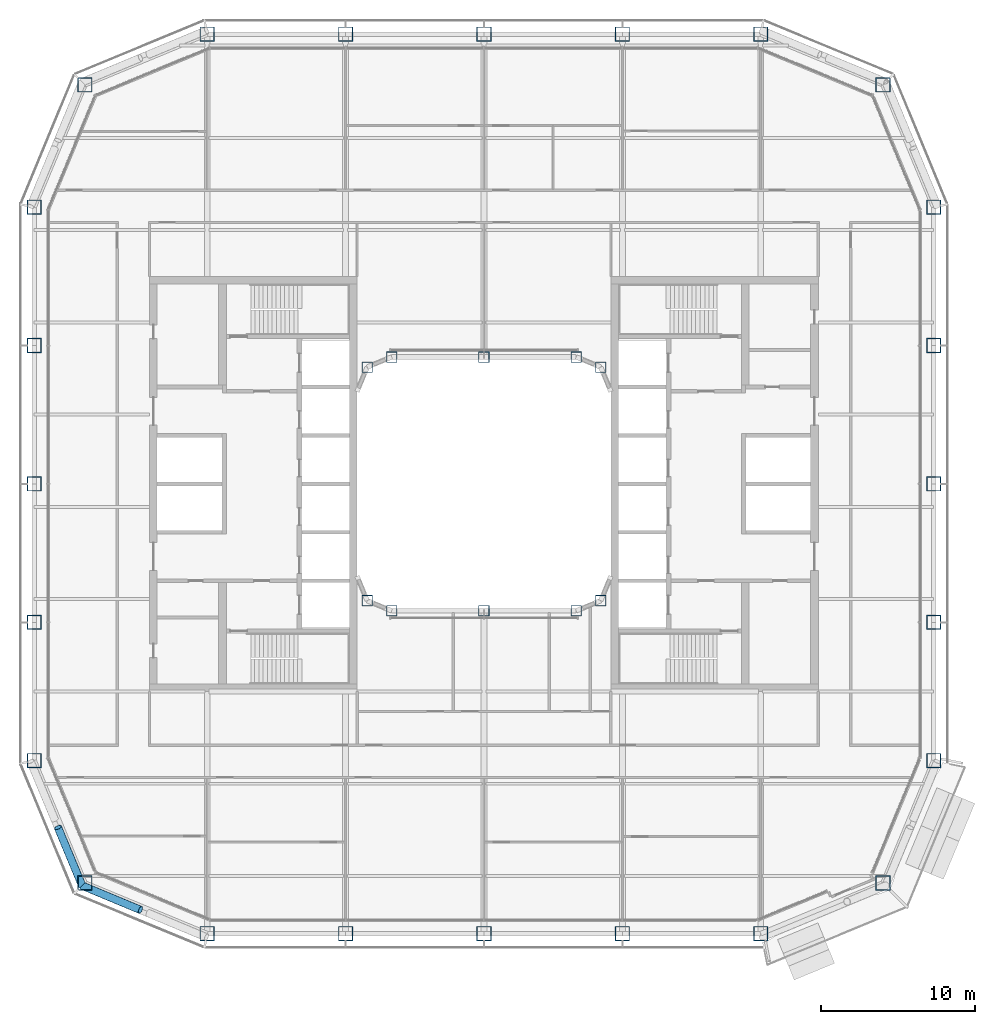
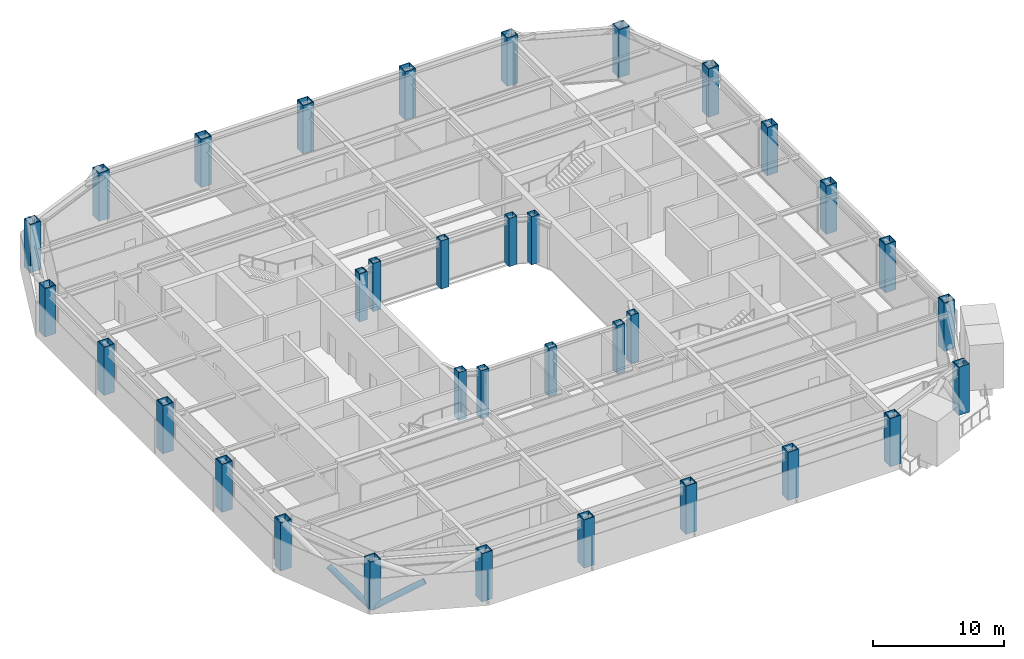
# One storey, part 1 of 23: 34 columns, 2 members.
"""IFC4 building model written with IfcOpenShell, lengths in metres."""

from ifc_helpers import new_model, si_unit, direction, frame, origin, origin_2d, place, context, subcontext, project, spatial, hollow_rectangle, hollow_circle, extrude, material, material_profile, profile_set, type_object, element, save


model = new_model("IFC4")

# Units and contexts
model_context = context("Model", 3, precision=1e-05, world=origin(), true_north=direction((0.0, 1.0)))
body_context = subcontext(model_context, "Body", "Model", "MODEL_VIEW")
ifc_project = project(units=[si_unit("LENGTHUNIT", "METRE"), si_unit("AREAUNIT", "SQUARE_METRE"), si_unit("VOLUMEUNIT", "CUBIC_METRE"), si_unit("PLANEANGLEUNIT", "RADIAN"), si_unit("MASSUNIT", "GRAM", prefix="KILO")], contexts=[model_context])

# Site, building, storey
site_placement = place(None, origin())
site = spatial("IfcSite", under=ifc_project, at=site_placement, CompositionType="ELEMENT")
building_placement = place(site_placement, origin())
building = spatial("IfcBuilding", under=site, at=building_placement, Name="Siwar Civic Tower", CompositionType="ELEMENT")
storey_placement = place(building_placement, frame((0.0, 0.0, 109.199951171875)))
storey = spatial("IfcBuildingStorey", under=building, at=storey_placement, Name="L23", CompositionType="ELEMENT", Elevation=109.199951171875)

# Columns
ifc_material_1 = material(Name="Steel S355", Category="steel")
ifc_material_profile_1 = material_profile(ifc_material_1, hollow_rectangle(XDim=0.949951171875, YDim=0.949951171875, WallThickness=0.054931640625, at=origin_2d()), Name="BOX950x950x55")
ifc_profile_set_1 = profile_set([ifc_material_profile_1], Name="Steel S355")
column_type_1 = type_object("IfcColumnType", Name="STR-COL-BOX950x950x55", PredefinedType="COLUMN", material=ifc_profile_set_1)
for number, where, z_axis, x_axis, name in (
    (1, (-18.0, -29.25, 0.0), (0.0, 0.0, 1.0), (1.0, 0.0, 0.0), "L23/col/S-0"),
    (2, (-9.0, -29.25, 0.0), (0.0, 0.0, 1.0), (1.0, 0.0, 0.0), "L23/col/S-1"),
    (3, (0.0, -29.25, 0.0), (0.0, 0.0, 1.0), (1.0, 0.0, 0.0), "L23/col/S-2"),
    (4, (9.0, -29.25, 0.0), (0.0, 0.0, 1.0), (1.0, 0.0, 0.0), "L23/col/S-3"),
    (5, (18.0, -29.25, 0.0), (0.0, 0.0, 1.0), (1.0, 0.0, 0.0), "L23/col/SE1-0"),
    (6, (25.954833984375, -25.954833984375, 0.0), (0.0, 0.0, 1.0), (1.0, 0.0, 0.0), "L23/col/SE2-0"),
    (7, (29.25, -18.0, 0.0), (0.0, 0.0, 1.0), (1.0, 0.0, 0.0), "L23/col/E-0"),
    (8, (29.25, -9.0, 0.0), (0.0, 0.0, 1.0), (1.0, 0.0, 0.0), "L23/col/E-1"),
    (9, (29.25, 0.0, 0.0), (0.0, 0.0, 1.0), (1.0, 0.0, 0.0), "L23/col/E-2"),
    (10, (29.25, 9.0, 0.0), (0.0, 0.0, 1.0), (1.0, 0.0, 0.0), "L23/col/E-3"),
    (11, (29.25, 18.0, 0.0), (0.0, 0.0, 1.0), (1.0, 0.0, 0.0), "L23/col/NE1-0"),
    (12, (25.954833984375, 25.954833984375, 0.0), (0.0, 0.0, 1.0), (1.0, 0.0, 0.0), "L23/col/NE2-0"),
    (13, (18.0, 29.25, 0.0), (0.0, 0.0, 1.0), (1.0, 0.0, 0.0), "L23/col/N-0"),
    (14, (9.0, 29.25, 0.0), (0.0, 0.0, 1.0), (1.0, 0.0, 0.0), "L23/col/N-1"),
    (15, (0.0, 29.25, 0.0), (0.0, 0.0, 1.0), (1.0, 0.0, 0.0), "L23/col/N-2"),
    (16, (-9.0, 29.25, 0.0), (0.0, 0.0, 1.0), (1.0, 0.0, 0.0), "L23/col/N-3"),
    (17, (-18.0, 29.25, 0.0), (0.0, 0.0, 1.0), (1.0, 0.0, 0.0), "L23/col/NW1-0"),
    (18, (-25.954833984375, 25.954833984375, 0.0), (0.0, 0.0, 1.0), (1.0, 0.0, 0.0), "L23/col/NW2-0"),
    (19, (-29.25, 18.0, 0.0), (0.0, 0.0, 1.0), (1.0, 0.0, 0.0), "L23/col/W-0"),
    (20, (-29.25, 9.0, 0.0), (0.0, 0.0, 1.0), (1.0, 0.0, 0.0), "L23/col/W-1"),
    (21, (-29.25, 0.0, 0.0), (0.0, 0.0, 1.0), (1.0, 0.0, 0.0), "L23/col/W-2"),
    (22, (-29.25, -9.0, 0.0), (0.0, 0.0, 1.0), (1.0, 0.0, 0.0), "L23/col/W-3"),
    (23, (-29.25, -18.0, 0.0), (0.0, 0.0, 1.0), (1.0, 0.0, 0.0), "L23/col/SW1-0"),
    (24, (-25.954833984375, -25.954833984375, 0.0), (0.0, 0.0, 1.0), (1.0, 0.0, 0.0), "L23/col/SW2-0"),
):
    element("IfcColumn", number, at=place(storey_placement, frame(where, z_axis=z_axis, x_axis=x_axis)), inside=storey, type_object=column_type_1, Name=name, PredefinedType="COLUMN", context=body_context, shape_type="SweptSolid", body=[
        extrude(hollow_rectangle(XDim=0.949951171875, YDim=0.949951171875, WallThickness=0.054931640625, at=origin_2d()), origin(), (0.0, 0.0, 1.0), 4.5),
    ])
ifc_material_2 = material(Name="Steel S355", Category="steel")
ifc_material_profile_2 = material_profile(ifc_material_2, hollow_rectangle(XDim=0.699951171875, YDim=0.699951171875, WallThickness=0.0400390625, at=origin_2d()), Name="BOX700x700x40")
ifc_profile_set_2 = profile_set([ifc_material_profile_2], Name="Steel S355")
column_type_2 = type_object("IfcColumnType", Name="STR-ICOL-BOX700x700x40", PredefinedType="COLUMN", material=ifc_profile_set_2)
for number, where, z_axis, x_axis, name in (
    (25, (-7.591064453125, -7.591064453125, 0.0), (0.0, 0.0, 1.0), (1.0, 0.0, 0.0), "L23/col/IS-0"),
    (26, (-6.0, -8.25, 0.0), (0.0, 0.0, 1.0), (1.0, 0.0, 0.0), "L23/col/IS-1"),
    (27, (0.0, -8.25, 0.0), (0.0, 0.0, 1.0), (1.0, 0.0, 0.0), "L23/col/IS-2"),
    (28, (6.0, -8.25, 0.0), (0.0, 0.0, 1.0), (1.0, 0.0, 0.0), "L23/col/IS-3"),
    (29, (7.591064453125, -7.591064453125, 0.0), (0.0, 0.0, 1.0), (1.0, 0.0, 0.0), "L23/col/IS-4"),
    (30, (-7.591064453125, 7.591064453125, 0.0), (0.0, 0.0, 1.0), (1.0, 0.0, 0.0), "L23/col/IN-0"),
    (31, (-6.0, 8.25, 0.0), (0.0, 0.0, 1.0), (1.0, 0.0, 0.0), "L23/col/IN-1"),
    (32, (0.0, 8.25, 0.0), (0.0, 0.0, 1.0), (1.0, 0.0, 0.0), "L23/col/IN-2"),
    (33, (6.0, 8.25, 0.0), (0.0, 0.0, 1.0), (1.0, 0.0, 0.0), "L23/col/IN-3"),
    (34, (7.591064453125, 7.591064453125, 0.0), (0.0, 0.0, 1.0), (1.0, 0.0, 0.0), "L23/col/IN-4"),
):
    element("IfcColumn", number, at=place(storey_placement, frame(where, z_axis=z_axis, x_axis=x_axis)), inside=storey, type_object=column_type_2, Name=name, PredefinedType="COLUMN", context=body_context, shape_type="SweptSolid", body=[
        extrude(hollow_rectangle(XDim=0.699951171875, YDim=0.699951171875, WallThickness=0.0400390625, at=origin_2d()), origin(), (0.0, 0.0, 1.0), 4.5),
    ])

# Members
ifc_material_3 = material(Name="Steel S355", Category="steel")
ifc_material_profile_3 = material_profile(ifc_material_3, hollow_circle(Radius=0.25390625, WallThickness=0.02490234375, at=origin_2d()), Name="CHS508x25")
ifc_profile_set_3 = profile_set([ifc_material_profile_3], Name="Steel S355")
member_type = type_object("IfcMemberType", Name="STR-BR-CHS508x25", PredefinedType="BRACE", material=ifc_profile_set_3)
for number, where, z_axis, x_axis, name in (
    (35, (-26.1318359375, -26.1318359375, 0.0), (0.821143275065, -0.341662474736, 0.457154760636), (0.384154943021, 0.923268638995, 0.0), "L23/brc/BSW1-2-0-2"),
    (36, (-26.1318359375, -26.1318359375, 0.0), (-0.341662474736, 0.821143275065, 0.457154760636), (-0.923268638995, -0.384154943021, 0.0), "L23/brc/BSW1-2-0-4"),
):
    element("IfcMember", number, at=place(storey_placement, frame(where, z_axis=z_axis, x_axis=x_axis)), inside=storey, type_object=member_type, Name=name, PredefinedType="BRACE", context=body_context, shape_type="SweptSolid", body=[
        extrude(hollow_circle(Radius=0.25390625, WallThickness=0.02490234375, at=origin_2d()), origin(), (0.0, 0.0, 1.0), 4.61474609375),
    ])

save(model, "model.ifc")
